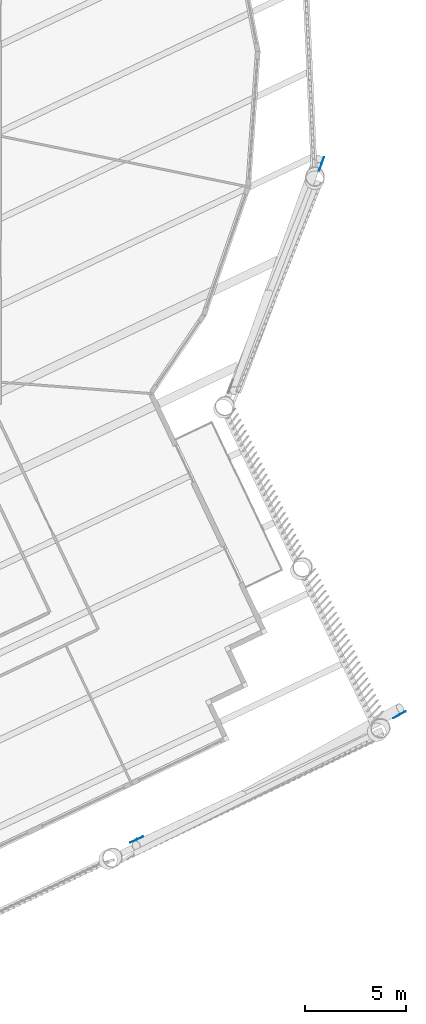
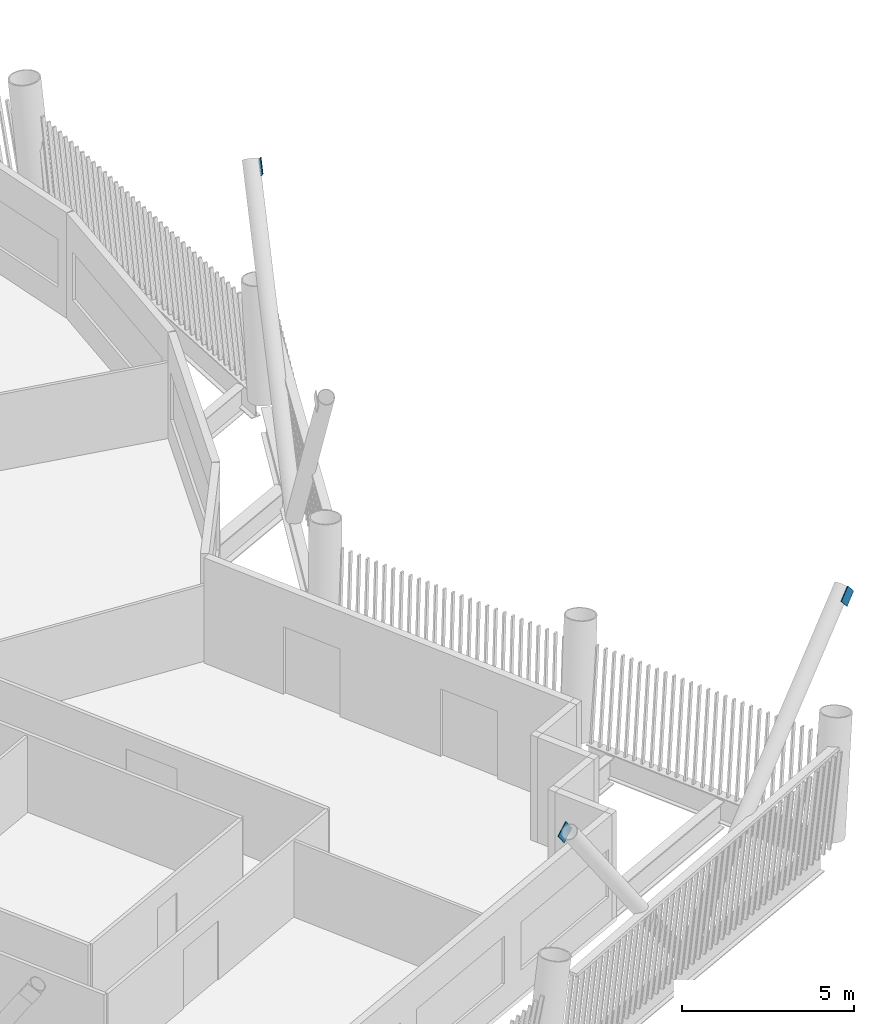
# One storey, part 8 of 21: 3 discrete accessories.
"""IFC4 building model written with IfcOpenShell, lengths in metres."""

from ifc_helpers import new_model, si_unit, direction, frame, origin, origin_2d, place, context, subcontext, project, spatial, rectangle, extrude, material, material_profile, profile_set, type_object, element, save


model = new_model("IFC4")

# Units and contexts
model_context = context("Model", 3, precision=1e-05, world=origin(), true_north=direction((0.0, 1.0)))
body_context = subcontext(model_context, "Body", "Model", "MODEL_VIEW")
ifc_project = project(units=[si_unit("LENGTHUNIT", "METRE"), si_unit("AREAUNIT", "SQUARE_METRE"), si_unit("VOLUMEUNIT", "CUBIC_METRE"), si_unit("PLANEANGLEUNIT", "RADIAN"), si_unit("MASSUNIT", "GRAM", prefix="KILO")], contexts=[model_context])

# Site, building, storey
site_placement = place(None, origin())
site = spatial("IfcSite", under=ifc_project, at=site_placement, CompositionType="ELEMENT")
building_placement = place(site_placement, origin())
building = spatial("IfcBuilding", under=site, at=building_placement, Name="Tarsis Ring Headquarters", CompositionType="ELEMENT")
storey_placement = place(building_placement, frame((0.0, 0.0, 331.39990234375)))
storey = spatial("IfcBuildingStorey", under=building, at=storey_placement, Name="L78", CompositionType="ELEMENT", Elevation=331.39990234375)

# Discrete accessories
ifc_material = material(Name="Structural steel S355", Category="steel")
ifc_material_profile = material_profile(ifc_material, rectangle(XDim=0.02490234375, YDim=0.5, at=origin_2d()), Name="PL 25x500")
ifc_profile_set = profile_set([ifc_material_profile], Name="Structural steel S355")
discrete_accessory_type = type_object("IfcDiscreteAccessoryType", Name="Gusset plate Exo brace 25", PredefinedType="BRACKET", material=ifc_profile_set)
for number, where, z_axis, x_axis, name in (
    (1, (33.031005859375, -31.3515625, 7.800048828125), (-0.659570950187, -0.366645287632, -0.656153484124), (0.485862636147, -0.87403518167, 0.0), "Gusset plate GP5"),
    (2, (19.662841796875, -37.716064453125, 7.800048828125), (0.542489069893, 0.255375142713, -0.800305657565), (-0.425914689359, 0.904763326726, 0.0), "Gusset plate GP5"),
    (3, (29.05029296875, -3.8857421875, 7.800048828125), (-0.229522806782, -0.635827009426, -0.736914713689), (0.94059235704, -0.339537947626, 0.0), "Gusset plate GP5"),
):
    element("IfcDiscreteAccessory", number, at=place(storey_placement, frame(where, z_axis=z_axis, x_axis=x_axis)), inside=storey, type_object=discrete_accessory_type, Name=name, PredefinedType="BRACKET", context=body_context, shape_type="SweptSolid", body=[
        extrude(rectangle(XDim=0.02490234375, YDim=0.5, at=origin_2d()), origin(), (0.0, 0.0, 1.0), 0.5),
    ])

save(model, "model.ifc")
